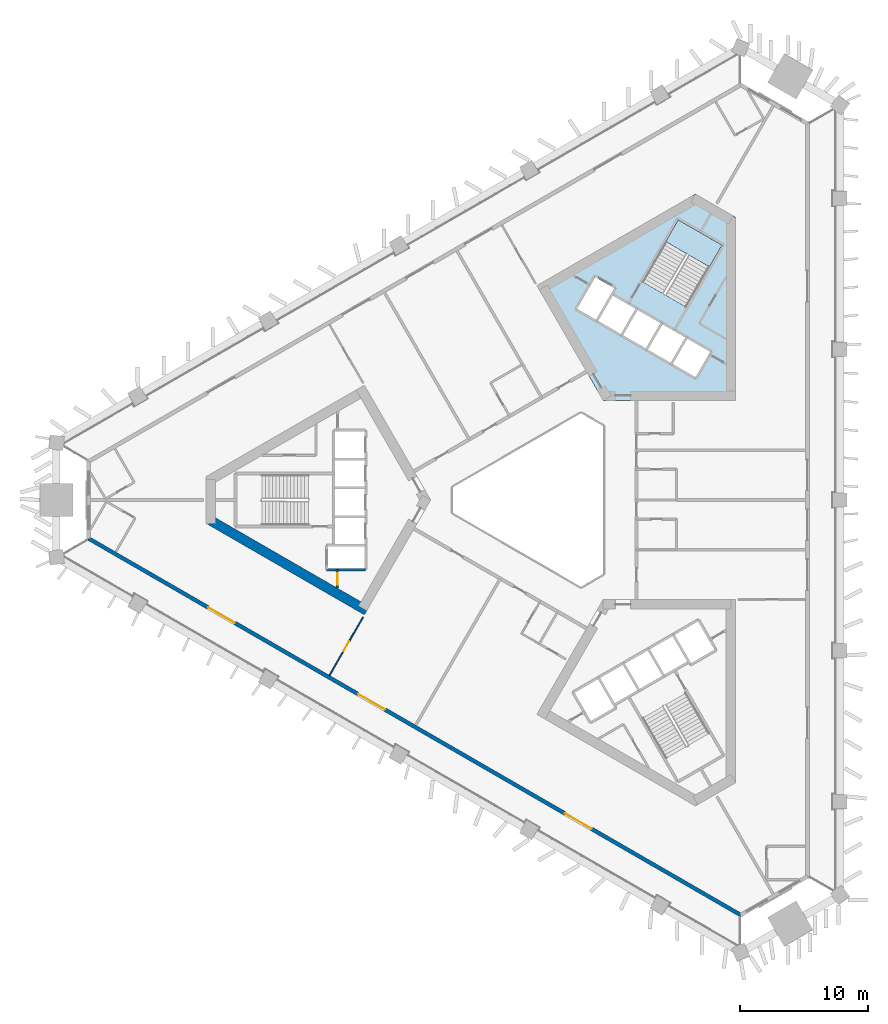
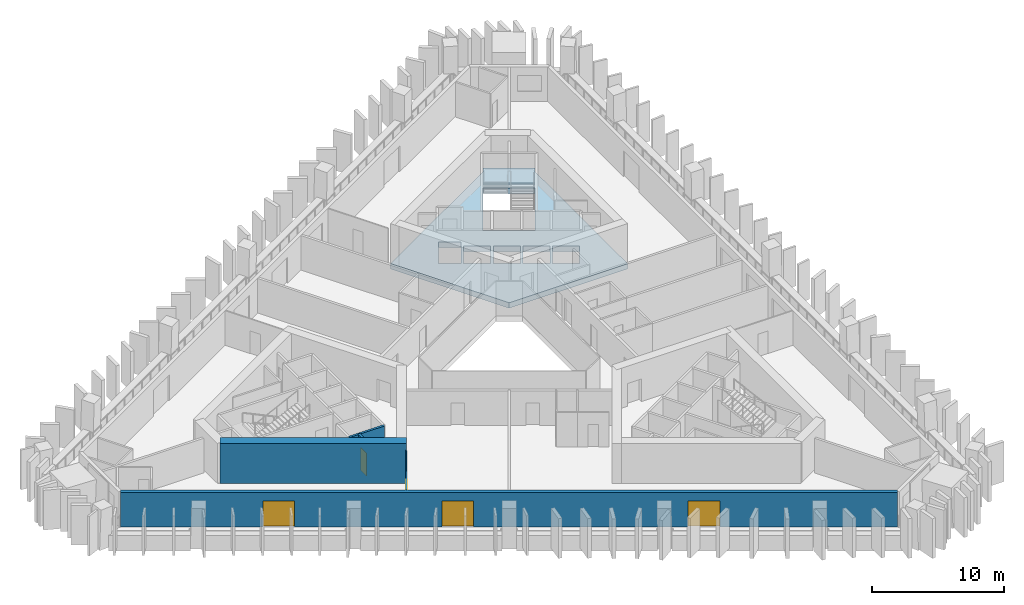
# One storey, part 2 of 11: 5 doors, 5 walls, 2 slabs, 5 openings, 1 element without a shape of its own.
"""IFC4 building model written with IfcOpenShell, lengths in metres."""

from ifc_helpers import new_model, si_unit, direction, frame, frame_2d, origin, place, context, subcontext, project, spatial, polyline, rectangle, outline, extrude, material, layer, layer_set, type_object, element, fill, aggregate, save


model = new_model("IFC4")

# Units and contexts
model_context = context("Model", 3, precision=1e-05, world=origin(), true_north=direction((0.0, 1.0)))
body_context = subcontext(model_context, "Body", "Model", "MODEL_VIEW")
ifc_project = project(units=[si_unit("LENGTHUNIT", "METRE"), si_unit("AREAUNIT", "SQUARE_METRE"), si_unit("VOLUMEUNIT", "CUBIC_METRE"), si_unit("PLANEANGLEUNIT", "RADIAN"), si_unit("MASSUNIT", "GRAM", prefix="KILO")], contexts=[model_context])

# Site, building, storey
site_placement = place(None, origin())
site = spatial("IfcSite", under=ifc_project, at=site_placement, CompositionType="ELEMENT")
building_placement = place(site_placement, origin())
building = spatial("IfcBuilding", under=site, at=building_placement, Name="Jabali Bay Hotel Tower and Convention Centre", CompositionType="ELEMENT")
storey_placement = place(building_placement, frame((0.0, 0.0, 79.5)))
storey = spatial("IfcBuildingStorey", under=building, at=storey_placement, Name="L18", CompositionType="ELEMENT", Elevation=79.5)

# Slab
ifc_material_1 = material(Name="Concrete C40", Category="concrete")
ifc_layer_1 = layer(ifc_material_1, 0.5)
ifc_layer_set_1 = layer_set([ifc_layer_1], Name="Concrete C40")
slab_type_1 = type_object("IfcSlabType", Name="Core floor slab 500", PredefinedType="FLOOR", material=ifc_layer_set_1)
slab_1_placement = place(storey_placement, frame((0.0, 0.0, -0.5)))
element("IfcSlab", 1, at=slab_1_placement, inside=storey, type_object=slab_type_1, Name="Core floor slab 2 L18", PredefinedType="FLOOR", context=body_context, shape_type="SweptSolid", body=[
    extrude(outline(polyline([(79.5, 87.794189453125), (89.8798828125, 87.794189453125), (89.8798828125, 102.127685546875), (86.72314453125, 103.9501953125), (74.31005859375, 96.78369140625), (79.5, 87.794189453125)]), holes=[polyline([(84.957763671875, 90.6474609375), (86.733154296875, 89.62255859375), (87.873291015625, 91.59716796875), (86.097900390625, 92.6220703125), (84.957763671875, 90.6474609375)]), polyline([(84.1494140625, 93.7470703125), (83.00927734375, 91.7724609375), (84.78466796875, 90.74755859375), (85.924560546875, 92.72216796875), (84.1494140625, 93.7470703125)]), polyline([(82.20068359375, 94.8720703125), (81.060791015625, 92.8974609375), (82.836181640625, 91.87255859375), (83.97607421875, 93.84716796875), (82.20068359375, 94.8720703125)]), polyline([(79.1123046875, 94.0224609375), (80.887451171875, 92.99755859375), (82.027587890625, 94.97216796875), (80.252197265625, 95.9970703125), (79.1123046875, 94.0224609375)]), polyline([(78.891845703125, 97.440673828125), (77.466796875, 94.97265625), (78.93896484375, 94.12255859375), (80.364013671875, 96.5908203125), (78.891845703125, 97.440673828125)]), polyline([(82.584716796875, 97.0869140625), (86.00537109375, 95.11181640625), (88.80029296875, 99.952880859375), (85.379638671875, 101.927978515625), (82.584716796875, 97.0869140625)])]), origin(), (0.0, 0.0, 1.0), 0.5),
])

# Stair, slab
stair_type = type_object("IfcStairType", Name="Exit stair 1900", PredefinedType="HALF_TURN_STAIR", material=ifc_material_1)
stair_placement = place(storey_placement, origin())
stair = element("IfcStair", 2, at=stair_placement, inside=storey, type_object=stair_type, Name="L18 Exit Stair 2", PredefinedType="HALF_TURN_STAIR")
ifc_layer_2 = layer(ifc_material_1, 0.199951171875)
ifc_layer_set_2 = layer_set([ifc_layer_2], Name="Concrete C40")
slab_type_2 = type_object("IfcSlabType", Name="Stair landing 200", PredefinedType="LANDING", material=ifc_layer_set_2)
slab_2_placement = place(storey_placement, frame((0.0, 0.0, 1.64990234375)))
slab_2 = element("IfcSlab", 3, at=slab_2_placement, type_object=slab_type_2, Name="ST2 landing 1", PredefinedType="LANDING", context=body_context, shape_type="SweptSolid", body=[
    extrude(outline(polyline([(87.81884765625, 98.2529296875), (88.80029296875, 99.952880859375), (85.379638671875, 101.927978515625), (84.398193359375, 100.22802734375), (87.81884765625, 98.2529296875)])), origin(), (0.0, 0.0, 1.0), 0.2001953125),
])
aggregate(stair, [slab_2])

# Wall, opening, door
ifc_layer_3 = layer(ifc_material_1, 0.199951171875)
ifc_layer_set_3 = layer_set([ifc_layer_3], Name="Concrete C40")
wall_type_1 = type_object("IfcWallType", Name="Core partition wall 200", PredefinedType="PARTITIONING", material=ifc_layer_set_3)
wall_1_placement = place(storey_placement, frame((58.699951171875, 74.550048828125, 0.0), z_axis=(0.0, 0.0, 1.0), x_axis=(0.0, -1.0, 0.0)))
wall_1 = element("IfcWall", 4, at=wall_1_placement, inside=storey, type_object=wall_type_1, Name="Core wall 0.12 L18", PredefinedType="PARTITIONING", context=body_context, shape_type="SweptSolid", body=[
    extrude(rectangle(XDim=1.455078125, YDim=0.199951171875, at=frame_2d((0.7275390625, 0.0))), origin(), (0.0, 0.0, 1.0), 3.199951171875),
])
opening_1_placement = place(wall_1_placement, frame((0.277587890625, 0.0, 0.0)))
opening_1 = element("IfcOpeningElement", 5, at=opening_1_placement, cuts=wall_1, Name="Opening D440", PredefinedType="OPENING", context=body_context, shape_type="SweptSolid", body=[
    extrude(rectangle(XDim=0.89990234375, YDim=2.10009765625, at=frame_2d((0.449951171875, 1.050048828125))), frame((0.0, 0.1103515625, 0.0), z_axis=(0.0, -1.0, 0.0), x_axis=(1.0, 0.0, 0.0)), (0.0, 0.0, 1.0), 0.220947265625),
])
ifc_material_2 = material(Name="Fire-rated steel door", Category="steel")
door_type_1 = type_object("IfcDoorType", Name="Vestibule fire door 900 x 2100", OperationType="NOTDEFINED", PredefinedType="NOTDEFINED", material=ifc_material_2)
door_1_placement = place(opening_1_placement, origin())
door_1 = element("IfcDoor", 6, at=door_1_placement, inside=storey, type_object=door_type_1, Name="Vestibule fire door D440", OperationType="SINGLE_SWING_LEFT", OverallHeight=2.10009765625, OverallWidth=0.89990234375, PredefinedType="NOTDEFINED", context=body_context, shape_type="SweptSolid", body=[
    extrude(rectangle(XDim=0.89990234375, YDim=2.10009765625, at=frame_2d((0.449951171875, 1.050048828125))), frame((0.0, 0.02490234375, 0.0), z_axis=(0.0, -1.0, 0.0), x_axis=(1.0, 0.0, 0.0)), (0.0, 0.0, 1.0), 0.050048828125),
])
fill(opening_1, door_1)

# Walls
ifc_layer_4 = layer(ifc_material_1, 0.199951171875)
ifc_layer_set_4 = layer_set([ifc_layer_4], Name="Concrete C40")
wall_type_2 = type_object("IfcWallType", Name="Core stair wall 200", PredefinedType="SOLIDWALL", material=ifc_layer_set_4)
wall_2_placement = place(storey_placement, frame((60.89990234375, 74.550048828125, 0.0), z_axis=(0.0, 0.0, 1.0), x_axis=(-1.0, 0.0, 0.0)))
element("IfcWall", 7, at=wall_2_placement, inside=storey, type_object=wall_type_2, Name="Core wall 0.9 L18", PredefinedType="SOLIDWALL", context=body_context, shape_type="SweptSolid", body=[
    extrude(rectangle(XDim=3.0498046875, YDim=0.199951171875, at=frame_2d((1.52490234375, 0.0))), origin(), (0.0, 0.0, 1.0), 3.199951171875),
])
ifc_material_3 = material(Name="Concrete C60", Category="concrete")
ifc_layer_5 = layer(ifc_material_3, 0.75)
ifc_layer_set_5 = layer_set([ifc_layer_5], Name="Concrete C60")
wall_type_3 = type_object("IfcWallType", Name="Core wall 750", PredefinedType="SHEAR", material=ifc_layer_set_5)
wall_3_placement = place(storey_placement, frame((48.77197265625, 78.393798828125, 0.0), z_axis=(0.0, 0.0, 1.0), x_axis=(0.866028339916, -0.499994914436, 0.0)))
element("IfcWall", 8, at=wall_3_placement, inside=storey, type_object=wall_type_3, Name="Core wall 1.4 L18", PredefinedType="SHEAR", context=body_context, shape_type="SweptSolid", body=[
    extrude(rectangle(XDim=14.116943359375, YDim=0.75, at=frame_2d((7.05859375, 0.0))), origin(), (0.0, 0.0, 1.0), 3.699951171875),
])

# Wall, openings, doors
ifc_layer_6 = layer(ifc_material_1, 0.300048828125)
ifc_layer_set_6 = layer_set([ifc_layer_6], Name="Concrete C40")
wall_type_4 = type_object("IfcWallType", Name="External wall 300", PredefinedType="SOLIDWALL", material=ifc_layer_set_6)
wall_4_placement = place(storey_placement, frame((90.2763671875, 47.508056640625, 0.0), z_axis=(0.0, 0.0, 1.0), x_axis=(-0.86602468924, 0.500001237625, 0.0)))
wall_4 = element("IfcWall", 9, at=wall_4_placement, inside=storey, type_object=wall_type_4, Name="External wall south-west face L18", PredefinedType="SOLIDWALL", context=body_context, shape_type="SweptSolid", body=[
    extrude(rectangle(XDim=58.951416015625, YDim=0.300048828125, at=frame_2d((29.4755859375, 0.0))), origin(), (0.0, 0.0, 1.0), 3.199951171875),
])
opening_2_placement = place(wall_4_placement, frame((32.1728515625, 0.0, 0.0)))
opening_2 = element("IfcOpeningElement", 10, at=opening_2_placement, cuts=wall_4, Name="Opening SD1", PredefinedType="OPENING", context=body_context, shape_type="SweptSolid", body=[
    extrude(rectangle(XDim=2.39990234375, YDim=2.39990234375, at=frame_2d((1.199951171875, 1.199951171875))), frame((0.0, 0.16064453125, 0.0), z_axis=(0.0, -1.0, 0.0), x_axis=(1.0, 0.0, 0.0)), (0.0, 0.0, 1.0), 0.321044921875),
])
opening_3_placement = place(wall_4_placement, frame((45.73876953125, 0.0, 0.0)))
opening_3 = element("IfcOpeningElement", 11, at=opening_3_placement, cuts=wall_4, Name="Opening SD1", PredefinedType="OPENING", context=body_context, shape_type="SweptSolid", body=[
    extrude(rectangle(XDim=2.39990234375, YDim=2.39990234375, at=frame_2d((1.199951171875, 1.199951171875))), frame((0.0, 0.16064453125, 0.0), z_axis=(0.0, -1.0, 0.0), x_axis=(1.0, 0.0, 0.0)), (0.0, 0.0, 1.0), 0.321044921875),
])
opening_4_placement = place(wall_4_placement, frame((13.49462890625, 0.0, 0.0)))
opening_4 = element("IfcOpeningElement", 12, at=opening_4_placement, cuts=wall_4, Name="Opening SD1", PredefinedType="OPENING", context=body_context, shape_type="SweptSolid", body=[
    extrude(rectangle(XDim=2.39990234375, YDim=2.39990234375, at=frame_2d((1.199951171875, 1.199951171875))), frame((0.0, 0.16064453125, 0.0), z_axis=(0.0, -1.0, 0.0), x_axis=(1.0, 0.0, 0.0)), (0.0, 0.0, 1.0), 0.321044921875),
])
ifc_material_4 = material(Name="Glass", Category="glass")
door_type_2 = type_object("IfcDoorType", Name="Loggia sliding door 2400 x 2400", OperationType="NOTDEFINED", PredefinedType="NOTDEFINED", material=ifc_material_4)
door_2_placement = place(opening_2_placement, origin())
door_2 = element("IfcDoor", 13, at=door_2_placement, inside=storey, type_object=door_type_2, Name="Loggia sliding door 1808", OperationType="SLIDING_TO_LEFT", OverallHeight=2.39990234375, OverallWidth=2.39990234375, PredefinedType="NOTDEFINED", context=body_context, shape_type="SweptSolid", body=[
    extrude(rectangle(XDim=2.39990234375, YDim=2.39990234375, at=frame_2d((1.199951171875, 1.199951171875))), frame((0.0, 0.02490234375, 0.0), z_axis=(0.0, -1.0, 0.0), x_axis=(1.0, 0.0, 0.0)), (0.0, 0.0, 1.0), 0.050048828125),
])
fill(opening_2, door_2)
door_3_placement = place(opening_3_placement, origin())
door_3 = element("IfcDoor", 14, at=door_3_placement, inside=storey, type_object=door_type_2, Name="Loggia sliding door 1808", OperationType="SLIDING_TO_RIGHT", OverallHeight=2.39990234375, OverallWidth=2.39990234375, PredefinedType="NOTDEFINED", context=body_context, shape_type="SweptSolid", body=[
    extrude(rectangle(XDim=2.39990234375, YDim=2.39990234375, at=frame_2d((1.199951171875, 1.199951171875))), frame((0.0, 0.02490234375, 0.0), z_axis=(0.0, -1.0, 0.0), x_axis=(1.0, 0.0, 0.0)), (0.0, 0.0, 1.0), 0.050048828125),
])
fill(opening_3, door_3)
door_4_placement = place(opening_4_placement, origin())
door_4 = element("IfcDoor", 15, at=door_4_placement, inside=storey, type_object=door_type_2, Name="Loggia sliding door 1809", OperationType="SLIDING_TO_LEFT", OverallHeight=2.39990234375, OverallWidth=2.39990234375, PredefinedType="NOTDEFINED", context=body_context, shape_type="SweptSolid", body=[
    extrude(rectangle(XDim=2.39990234375, YDim=2.39990234375, at=frame_2d((1.199951171875, 1.199951171875))), frame((0.0, 0.02490234375, 0.0), z_axis=(0.0, -1.0, 0.0), x_axis=(1.0, 0.0, 0.0)), (0.0, 0.0, 1.0), 0.050048828125),
])
fill(opening_4, door_4)

# Wall, opening, door
ifc_material_5 = material(Name="Plasterboard on steel stud", Category="steel")
ifc_layer_7 = layer(ifc_material_5, 0.10009765625)
ifc_layer_set_7 = layer_set([ifc_layer_7], Name="Plasterboard on steel stud")
wall_type_5 = type_object("IfcWallType", Name="Partition 100 unit", PredefinedType="PARTITIONING", material=ifc_layer_set_7)
wall_5_placement = place(storey_placement, frame((60.71044921875, 70.83837890625, 0.0), z_axis=(0.0, 0.0, 1.0), x_axis=(-0.499973627007, -0.866040629704, 0.0)))
wall_5 = element("IfcWall", 16, at=wall_5_placement, inside=storey, type_object=wall_type_5, Name="Partition P02 L18 031", PredefinedType="PARTITIONING", context=body_context, shape_type="SweptSolid", body=[
    extrude(rectangle(XDim=5.272705078125, YDim=0.10009765625, at=frame_2d((2.63623046875, 0.0))), origin(), (0.0, 0.0, 1.0), 3.199951171875),
])
opening_5_placement = place(wall_5_placement, frame((2.18603515625, 0.0, 0.0)))
opening_5 = element("IfcOpeningElement", 17, at=opening_5_placement, cuts=wall_5, Name="Opening 1819", PredefinedType="OPENING", context=body_context, shape_type="SweptSolid", body=[
    extrude(rectangle(XDim=0.89990234375, YDim=2.10009765625, at=frame_2d((0.449951171875, 1.050048828125))), frame((0.0, 0.060546875, 0.0), z_axis=(0.0, -1.0, 0.0), x_axis=(1.0, 0.0, 0.0)), (0.0, 0.0, 1.0), 0.12109375),
])
ifc_material_6 = material(Name="Timber", Category="wood")
door_type_3 = type_object("IfcDoorType", Name="Internal door 900 x 2100", OperationType="NOTDEFINED", PredefinedType="NOTDEFINED", material=ifc_material_6)
door_5_placement = place(opening_5_placement, origin())
door_5 = element("IfcDoor", 18, at=door_5_placement, inside=storey, type_object=door_type_3, Name="Door 1819", OperationType="SINGLE_SWING_LEFT", OverallHeight=2.10009765625, OverallWidth=0.89990234375, PredefinedType="NOTDEFINED", context=body_context, shape_type="SweptSolid", body=[
    extrude(rectangle(XDim=0.89990234375, YDim=2.10009765625, at=frame_2d((0.449951171875, 1.050048828125))), frame((0.0, 0.02490234375, 0.0), z_axis=(0.0, -1.0, 0.0), x_axis=(1.0, 0.0, 0.0)), (0.0, 0.0, 1.0), 0.050048828125),
])
fill(opening_5, door_5)

save(model, "model.ifc")
